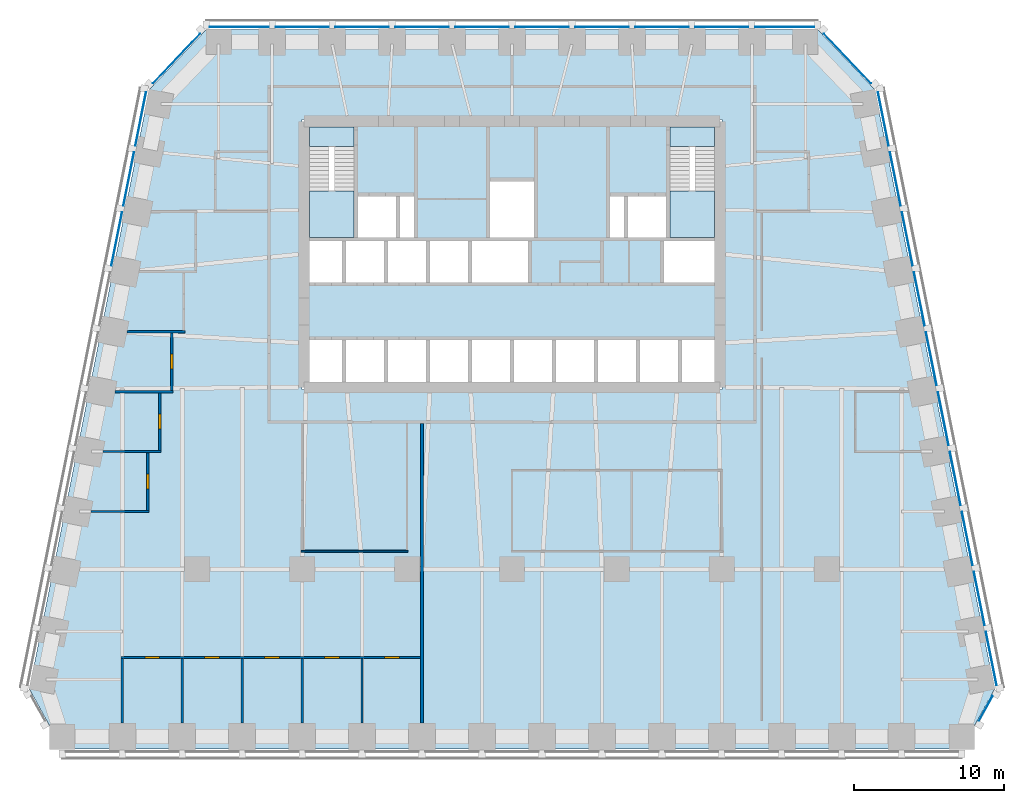
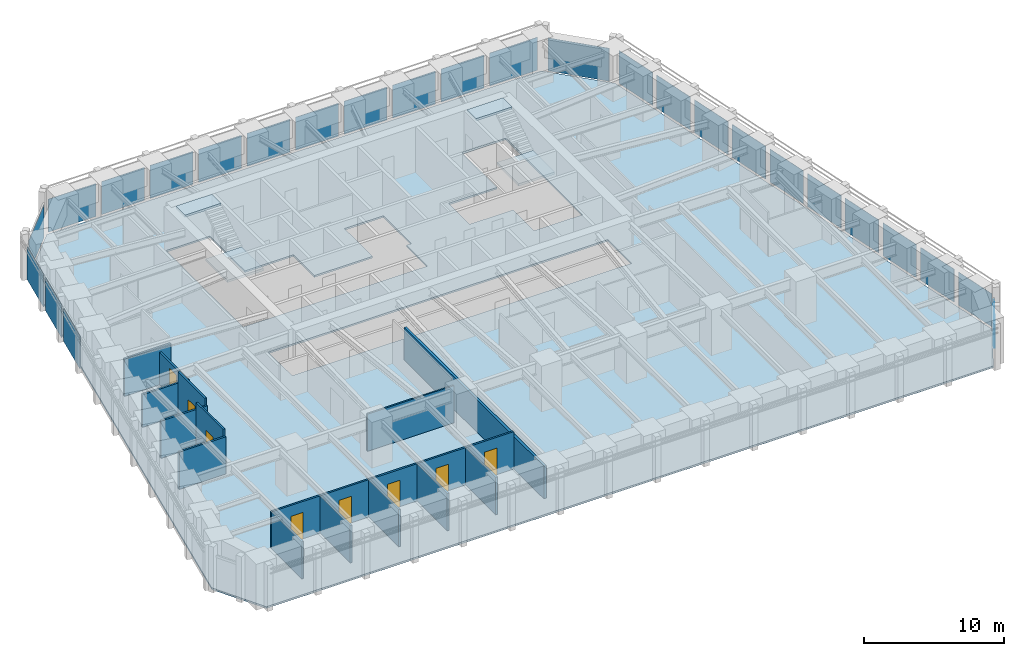
# One storey, part 5 of 10: 26 plates, 15 walls, 8 doors, 5 slabs, 8 openings, 8 elements without a shape of their own.
"""IFC4 building model written with IfcOpenShell, lengths in metres."""

from ifc_helpers import new_model, si_unit, direction, frame, frame_2d, origin, origin_2d, place, context, subcontext, project, spatial, polyline, rectangle, outline, extrude, material, layer, layer_set, type_object, element, fill, aggregate, save


model = new_model("IFC4")

# Units and contexts
model_context = context("Model", 3, precision=1e-05, world=origin(), true_north=direction((0.0, 1.0)))
body_context = subcontext(model_context, "Body", "Model", "MODEL_VIEW")
ifc_project = project(units=[si_unit("LENGTHUNIT", "METRE"), si_unit("AREAUNIT", "SQUARE_METRE"), si_unit("VOLUMEUNIT", "CUBIC_METRE"), si_unit("PLANEANGLEUNIT", "RADIAN"), si_unit("MASSUNIT", "GRAM", prefix="KILO")], contexts=[model_context])

# Site, building, storey
site_placement = place(None, origin())
site = spatial("IfcSite", under=ifc_project, at=site_placement, CompositionType="ELEMENT")
building_placement = place(site_placement, origin())
building = spatial("IfcBuilding", under=site, at=building_placement, Name="Isbrekke Arena Tower", CompositionType="ELEMENT")
storey_placement = place(building_placement, frame((0.0, 0.0, 111.0)))
storey = spatial("IfcBuildingStorey", under=building, at=storey_placement, Name="L24", CompositionType="ELEMENT", Elevation=111.0)

# Curtain wall, plate
ifc_material_1 = material(Name="Glazed aluminium curtain wall", Category="aluminium")
curtain_wall_type = type_object("IfcCurtainWallType", Name="CWM TOWER CURTAIN WALL MID ZONE", PredefinedType="USERDEFINED", material=ifc_material_1)
curtain_wall_1_placement = place(storey_placement, origin())
curtain_wall_1 = element("IfcCurtainWall", 1, at=curtain_wall_1_placement, inside=storey, type_object=curtain_wall_type, Name="CWM curtain wall L24-SE", ObjectType="TOWER CURTAIN WALL MID ZONE", PredefinedType="USERDEFINED")
ifc_material_2 = material(Name="Triple-glazed clear glass unit", Category="glass")
ifc_layer_1 = layer(ifc_material_2, 0.031982421875)
ifc_layer_set_1 = layer_set([ifc_layer_1], Name="CWM-P VISION PANEL")
plate_type = type_object("IfcPlateType", Name="CWM-P VISION PANEL", PredefinedType="CURTAIN_PANEL", material=ifc_layer_set_1)
plate_1_placement = place(storey_placement, frame((31.604248046875, -15.29052734375, 0.02001953125), z_axis=(0.0, 0.0, 1.0), x_axis=(0.481918749773, 0.876215908676, 0.0)))
plate_1 = element("IfcPlate", 2, at=plate_1_placement, type_object=plate_type, Name="CWM-P panel 1", PredefinedType="CURTAIN_PANEL", context=body_context, shape_type="SweptSolid", body=[
    extrude(rectangle(XDim=1.876220703125, YDim=0.031982421875, at=origin_2d()), origin(), (0.0, 0.0, 1.0), 2.8798828125),
])
aggregate(curtain_wall_1, [plate_1])

# Curtain wall, plates
curtain_wall_2_placement = place(storey_placement, origin())
curtain_wall_2 = element("IfcCurtainWall", 3, at=curtain_wall_2_placement, inside=storey, type_object=curtain_wall_type, Name="CWM curtain wall L24-E", ObjectType="TOWER CURTAIN WALL MID ZONE", PredefinedType="USERDEFINED")
plate_2_placement = place(storey_placement, frame((31.9716796875, -11.965576171875, 0.02001953125), z_axis=(0.0, 0.0, 1.0), x_axis=(-0.196116135138, 0.980580675691, 0.0)))
plate_2 = element("IfcPlate", 4, at=plate_2_placement, type_object=plate_type, Name="CWM-P panel 1", PredefinedType="CURTAIN_PANEL", context=body_context, shape_type="SweptSolid", body=[
    extrude(rectangle(XDim=3.629150390625, YDim=0.031982421875, at=origin_2d()), origin(), (0.0, 0.0, 1.0), 2.8798828125),
])
plate_3_placement = place(storey_placement, frame((31.171630859375, -7.965576171875, 0.02001953125), z_axis=(0.0, 0.0, 1.0), x_axis=(-0.196116135138, 0.980580675691, 0.0)))
plate_3 = element("IfcPlate", 5, at=plate_3_placement, type_object=plate_type, Name="CWM-P panel 2", PredefinedType="CURTAIN_PANEL", context=body_context, shape_type="SweptSolid", body=[
    extrude(rectangle(XDim=3.629150390625, YDim=0.031982421875, at=origin_2d()), origin(), (0.0, 0.0, 1.0), 2.8798828125),
])
plate_4_placement = place(storey_placement, frame((30.37158203125, -3.965576171875, 0.02001953125), z_axis=(0.0, 0.0, 1.0), x_axis=(-0.196116135138, 0.980580675691, 0.0)))
plate_4 = element("IfcPlate", 6, at=plate_4_placement, type_object=plate_type, Name="CWM-P panel 3", PredefinedType="CURTAIN_PANEL", context=body_context, shape_type="SweptSolid", body=[
    extrude(rectangle(XDim=3.629150390625, YDim=0.031982421875, at=origin_2d()), origin(), (0.0, 0.0, 1.0), 2.8798828125),
])
plate_5_placement = place(storey_placement, frame((29.571533203125, 0.034423828125, 0.02001953125), z_axis=(0.0, 0.0, 1.0), x_axis=(-0.196116135138, 0.980580675691, 0.0)))
plate_5 = element("IfcPlate", 7, at=plate_5_placement, type_object=plate_type, Name="CWM-P panel 4", PredefinedType="CURTAIN_PANEL", context=body_context, shape_type="SweptSolid", body=[
    extrude(rectangle(XDim=3.629150390625, YDim=0.031982421875, at=origin_2d()), origin(), (0.0, 0.0, 1.0), 2.8798828125),
])
plate_6_placement = place(storey_placement, frame((28.771484375, 4.034423828125, 0.02001953125), z_axis=(0.0, 0.0, 1.0), x_axis=(-0.196116135138, 0.980580675691, 0.0)))
plate_6 = element("IfcPlate", 8, at=plate_6_placement, type_object=plate_type, Name="CWM-P panel 5", PredefinedType="CURTAIN_PANEL", context=body_context, shape_type="SweptSolid", body=[
    extrude(rectangle(XDim=3.629150390625, YDim=0.031982421875, at=origin_2d()), origin(), (0.0, 0.0, 1.0), 2.8798828125),
])
plate_7_placement = place(storey_placement, frame((27.9716796875, 8.034423828125, 0.02001953125), z_axis=(0.0, 0.0, 1.0), x_axis=(-0.196116135138, 0.980580675691, 0.0)))
plate_7 = element("IfcPlate", 9, at=plate_7_placement, type_object=plate_type, Name="CWM-P panel 6", PredefinedType="CURTAIN_PANEL", context=body_context, shape_type="SweptSolid", body=[
    extrude(rectangle(XDim=3.629150390625, YDim=0.031982421875, at=origin_2d()), origin(), (0.0, 0.0, 1.0), 2.8798828125),
])
plate_8_placement = place(storey_placement, frame((27.171630859375, 12.034423828125, 0.02001953125), z_axis=(0.0, 0.0, 1.0), x_axis=(-0.196116135138, 0.980580675691, 0.0)))
plate_8 = element("IfcPlate", 10, at=plate_8_placement, type_object=plate_type, Name="CWM-P panel 7", PredefinedType="CURTAIN_PANEL", context=body_context, shape_type="SweptSolid", body=[
    extrude(rectangle(XDim=3.629150390625, YDim=0.031982421875, at=origin_2d()), origin(), (0.0, 0.0, 1.0), 2.8798828125),
])
plate_9_placement = place(storey_placement, frame((26.37158203125, 16.034423828125, 0.02001953125), z_axis=(0.0, 0.0, 1.0), x_axis=(-0.196116135138, 0.980580675691, 0.0)))
plate_9 = element("IfcPlate", 11, at=plate_9_placement, type_object=plate_type, Name="CWM-P panel 8", PredefinedType="CURTAIN_PANEL", context=body_context, shape_type="SweptSolid", body=[
    extrude(rectangle(XDim=3.629150390625, YDim=0.031982421875, at=origin_2d()), origin(), (0.0, 0.0, 1.0), 2.8798828125),
])
plate_10_placement = place(storey_placement, frame((25.571533203125, 20.034423828125, 0.02001953125), z_axis=(0.0, 0.0, 1.0), x_axis=(-0.196116135138, 0.980580675691, 0.0)))
plate_10 = element("IfcPlate", 12, at=plate_10_placement, type_object=plate_type, Name="CWM-P panel 9", PredefinedType="CURTAIN_PANEL", context=body_context, shape_type="SweptSolid", body=[
    extrude(rectangle(XDim=3.629150390625, YDim=0.031982421875, at=origin_2d()), origin(), (0.0, 0.0, 1.0), 2.8798828125),
])
plate_11_placement = place(storey_placement, frame((24.771484375, 24.034423828125, 0.02001953125), z_axis=(0.0, 0.0, 1.0), x_axis=(-0.196116135138, 0.980580675691, 0.0)))
plate_11 = element("IfcPlate", 13, at=plate_11_placement, type_object=plate_type, Name="CWM-P panel 10", PredefinedType="CURTAIN_PANEL", context=body_context, shape_type="SweptSolid", body=[
    extrude(rectangle(XDim=3.629150390625, YDim=0.031982421875, at=origin_2d()), origin(), (0.0, 0.0, 1.0), 2.8798828125),
])
aggregate(curtain_wall_2, [plate_2, plate_3, plate_4, plate_5, plate_6, plate_7, plate_8, plate_9, plate_10, plate_11])

# Curtain wall, plate
curtain_wall_3_placement = place(storey_placement, origin())
curtain_wall_3 = element("IfcCurtainWall", 14, at=curtain_wall_3_placement, inside=storey, type_object=curtain_wall_type, Name="CWM curtain wall L24-EN", ObjectType="TOWER CURTAIN WALL MID ZONE", PredefinedType="USERDEFINED")
plate_12_placement = place(storey_placement, frame((22.374755859375, 28.06640625, 0.02001953125), z_axis=(0.0, 0.0, 1.0), x_axis=(-0.68874946192, 0.72499943359, 0.0)))
plate_12 = element("IfcPlate", 15, at=plate_12_placement, type_object=plate_type, Name="CWM-P panel 1", PredefinedType="CURTAIN_PANEL", context=body_context, shape_type="SweptSolid", body=[
    extrude(rectangle(XDim=4.558349609375, YDim=0.031982421875, at=origin_2d()), origin(), (0.0, 0.0, 1.0), 2.8798828125),
])
aggregate(curtain_wall_3, [plate_12])

# Curtain wall, plates
curtain_wall_4_placement = place(storey_placement, origin())
curtain_wall_4 = element("IfcCurtainWall", 16, at=curtain_wall_4_placement, inside=storey, type_object=curtain_wall_type, Name="CWM curtain wall L24-N", ObjectType="TOWER CURTAIN WALL MID ZONE", PredefinedType="USERDEFINED")
plate_13_placement = place(storey_placement, frame((18.199951171875, 30.175048828125, 0.02001953125), z_axis=(0.0, 0.0, 1.0), x_axis=(-1.0, 0.0, 0.0)))
plate_13 = element("IfcPlate", 17, at=plate_13_placement, type_object=plate_type, Name="CWM-P panel 1", PredefinedType="CURTAIN_PANEL", context=body_context, shape_type="SweptSolid", body=[
    extrude(rectangle(XDim=3.949951171875, YDim=0.031982421875, at=origin_2d()), origin(), (0.0, 0.0, 1.0), 2.8798828125),
])
plate_14_placement = place(storey_placement, frame((14.0, 30.175048828125, 0.02001953125), z_axis=(0.0, 0.0, 1.0), x_axis=(-1.0, 0.0, 0.0)))
plate_14 = element("IfcPlate", 18, at=plate_14_placement, type_object=plate_type, Name="CWM-P panel 2", PredefinedType="CURTAIN_PANEL", context=body_context, shape_type="SweptSolid", body=[
    extrude(rectangle(XDim=3.550048828125, YDim=0.031982421875, at=origin_2d()), origin(), (0.0, 0.0, 1.0), 2.8798828125),
])
plate_15_placement = place(storey_placement, frame((10.0, 30.175048828125, 0.02001953125), z_axis=(0.0, 0.0, 1.0), x_axis=(-1.0, 0.0, 0.0)))
plate_15 = element("IfcPlate", 19, at=plate_15_placement, type_object=plate_type, Name="CWM-P panel 3", PredefinedType="CURTAIN_PANEL", context=body_context, shape_type="SweptSolid", body=[
    extrude(rectangle(XDim=3.550048828125, YDim=0.031982421875, at=origin_2d()), origin(), (0.0, 0.0, 1.0), 2.8798828125),
])
plate_16_placement = place(storey_placement, frame((6.0, 30.175048828125, 0.02001953125), z_axis=(0.0, 0.0, 1.0), x_axis=(-1.0, 0.0, 0.0)))
plate_16 = element("IfcPlate", 20, at=plate_16_placement, type_object=plate_type, Name="CWM-P panel 4", PredefinedType="CURTAIN_PANEL", context=body_context, shape_type="SweptSolid", body=[
    extrude(rectangle(XDim=3.550048828125, YDim=0.031982421875, at=origin_2d()), origin(), (0.0, 0.0, 1.0), 2.8798828125),
])
plate_17_placement = place(storey_placement, frame((2.0, 30.175048828125, 0.02001953125), z_axis=(0.0, 0.0, 1.0), x_axis=(-1.0, 0.0, 0.0)))
plate_17 = element("IfcPlate", 21, at=plate_17_placement, type_object=plate_type, Name="CWM-P panel 5", PredefinedType="CURTAIN_PANEL", context=body_context, shape_type="SweptSolid", body=[
    extrude(rectangle(XDim=3.550048828125, YDim=0.031982421875, at=origin_2d()), origin(), (0.0, 0.0, 1.0), 2.8798828125),
])
plate_18_placement = place(storey_placement, frame((-2.0, 30.175048828125, 0.02001953125), z_axis=(0.0, 0.0, 1.0), x_axis=(-1.0, 0.0, 0.0)))
plate_18 = element("IfcPlate", 22, at=plate_18_placement, type_object=plate_type, Name="CWM-P panel 6", PredefinedType="CURTAIN_PANEL", context=body_context, shape_type="SweptSolid", body=[
    extrude(rectangle(XDim=3.550048828125, YDim=0.031982421875, at=origin_2d()), origin(), (0.0, 0.0, 1.0), 2.8798828125),
])
plate_19_placement = place(storey_placement, frame((-6.0, 30.175048828125, 0.02001953125), z_axis=(0.0, 0.0, 1.0), x_axis=(-1.0, 0.0, 0.0)))
plate_19 = element("IfcPlate", 23, at=plate_19_placement, type_object=plate_type, Name="CWM-P panel 7", PredefinedType="CURTAIN_PANEL", context=body_context, shape_type="SweptSolid", body=[
    extrude(rectangle(XDim=3.550048828125, YDim=0.031982421875, at=origin_2d()), origin(), (0.0, 0.0, 1.0), 2.8798828125),
])
plate_20_placement = place(storey_placement, frame((-10.0, 30.175048828125, 0.02001953125), z_axis=(0.0, 0.0, 1.0), x_axis=(-1.0, 0.0, 0.0)))
plate_20 = element("IfcPlate", 24, at=plate_20_placement, type_object=plate_type, Name="CWM-P panel 8", PredefinedType="CURTAIN_PANEL", context=body_context, shape_type="SweptSolid", body=[
    extrude(rectangle(XDim=3.550048828125, YDim=0.031982421875, at=origin_2d()), origin(), (0.0, 0.0, 1.0), 2.8798828125),
])
plate_21_placement = place(storey_placement, frame((-14.0, 30.175048828125, 0.02001953125), z_axis=(0.0, 0.0, 1.0), x_axis=(-1.0, 0.0, 0.0)))
plate_21 = element("IfcPlate", 25, at=plate_21_placement, type_object=plate_type, Name="CWM-P panel 9", PredefinedType="CURTAIN_PANEL", context=body_context, shape_type="SweptSolid", body=[
    extrude(rectangle(XDim=3.550048828125, YDim=0.031982421875, at=origin_2d()), origin(), (0.0, 0.0, 1.0), 2.8798828125),
])
plate_22_placement = place(storey_placement, frame((-18.199951171875, 30.175048828125, 0.02001953125), z_axis=(0.0, 0.0, 1.0), x_axis=(-1.0, 0.0, 0.0)))
plate_22 = element("IfcPlate", 26, at=plate_22_placement, type_object=plate_type, Name="CWM-P panel 10", PredefinedType="CURTAIN_PANEL", context=body_context, shape_type="SweptSolid", body=[
    extrude(rectangle(XDim=3.949951171875, YDim=0.031982421875, at=origin_2d()), origin(), (0.0, 0.0, 1.0), 2.8798828125),
])
aggregate(curtain_wall_4, [plate_13, plate_14, plate_15, plate_16, plate_17, plate_18, plate_19, plate_20, plate_21, plate_22])

# Curtain wall, plate
curtain_wall_5_placement = place(storey_placement, origin())
curtain_wall_5 = element("IfcCurtainWall", 27, at=curtain_wall_5_placement, inside=storey, type_object=curtain_wall_type, Name="CWM curtain wall L24-NW", ObjectType="TOWER CURTAIN WALL MID ZONE", PredefinedType="USERDEFINED")
plate_23_placement = place(storey_placement, frame((-22.37451171875, 28.066650390625, 0.02001953125), z_axis=(0.0, 0.0, 1.0), x_axis=(-0.68874946192, -0.72499943359, 0.0)))
plate_23 = element("IfcPlate", 28, at=plate_23_placement, type_object=plate_type, Name="CWM-P panel 1", PredefinedType="CURTAIN_PANEL", context=body_context, shape_type="SweptSolid", body=[
    extrude(rectangle(XDim=4.557373046875, YDim=0.031982421875, at=origin_2d()), origin(), (0.0, 0.0, 1.0), 2.8798828125),
])
aggregate(curtain_wall_5, [plate_23])

# Curtain wall, plates
curtain_wall_6_placement = place(storey_placement, origin())
curtain_wall_6 = element("IfcCurtainWall", 29, at=curtain_wall_6_placement, inside=storey, type_object=curtain_wall_type, Name="CWM curtain wall L24-W", ObjectType="TOWER CURTAIN WALL MID ZONE", PredefinedType="USERDEFINED")
plate_24_placement = place(storey_placement, frame((-24.771484375, 24.034423828125, 0.02001953125), z_axis=(0.0, 0.0, 1.0), x_axis=(-0.196116135138, -0.980580675691, 0.0)))
plate_24 = element("IfcPlate", 30, at=plate_24_placement, type_object=plate_type, Name="CWM-P panel 1", PredefinedType="CURTAIN_PANEL", context=body_context, shape_type="SweptSolid", body=[
    extrude(rectangle(XDim=3.629150390625, YDim=0.031982421875, at=origin_2d()), origin(), (0.0, 0.0, 1.0), 2.8798828125),
])
plate_25_placement = place(storey_placement, frame((-25.571533203125, 20.034423828125, 0.02001953125), z_axis=(0.0, 0.0, 1.0), x_axis=(-0.196116135138, -0.980580675691, 0.0)))
plate_25 = element("IfcPlate", 31, at=plate_25_placement, type_object=plate_type, Name="CWM-P panel 2", PredefinedType="CURTAIN_PANEL", context=body_context, shape_type="SweptSolid", body=[
    extrude(rectangle(XDim=3.629150390625, YDim=0.031982421875, at=origin_2d()), origin(), (0.0, 0.0, 1.0), 2.8798828125),
])
plate_26_placement = place(storey_placement, frame((-26.37158203125, 16.034423828125, 0.02001953125), z_axis=(0.0, 0.0, 1.0), x_axis=(-0.196116135138, -0.980580675691, 0.0)))
plate_26 = element("IfcPlate", 32, at=plate_26_placement, type_object=plate_type, Name="CWM-P panel 3", PredefinedType="CURTAIN_PANEL", context=body_context, shape_type="SweptSolid", body=[
    extrude(rectangle(XDim=3.629150390625, YDim=0.031982421875, at=origin_2d()), origin(), (0.0, 0.0, 1.0), 2.8798828125),
])
aggregate(curtain_wall_6, [plate_24, plate_25, plate_26])

# Slab
ifc_material_3 = material(Name="Concrete B35 (C35/45)", Category="concrete")
ifc_layer_2 = layer(ifc_material_3, 0.14990234375)
ifc_layer_set_2 = layer_set([ifc_layer_2], Name="FS1 COMPOSITE FLOOR 150")
slab_type_1 = type_object("IfcSlabType", Name="FS1 COMPOSITE FLOOR 150", PredefinedType="FLOOR", material=ifc_layer_set_2)
slab_1_placement = place(storey_placement, frame((0.0, 0.0, -0.14990234375)))
element("IfcSlab", 33, at=slab_1_placement, inside=storey, type_object=slab_type_1, Name="FS1 floor slab L24", PredefinedType="FLOOR", context=body_context, shape_type="SweptSolid", body=[
    extrude(outline(polyline([(-30.0, -18.0), (30.0, -18.0), (32.199951171875, -14.0), (24.199951171875, 26.0), (20.39990234375, 30.0), (-20.39990234375, 30.0), (-24.199951171875, 26.0), (-32.199951171875, -14.0), (-30.0, -18.0)]), holes=[polyline([(14.0, 9.39990234375), (14.0, 6.0), (-14.0, 6.0), (-14.0, 9.39990234375), (14.0, 9.39990234375)]), polyline([(-6.39990234375, 19.0), (-6.39990234375, 16.0), (-1.60009765625, 16.0), (-1.60009765625, 20.0), (1.60009765625, 20.0), (1.60009765625, 16.0), (1.199951171875, 16.0), (1.199951171875, 13.0), (-14.0, 13.0), (-14.0, 24.0), (-10.39990234375, 24.0), (-10.39990234375, 19.0), (-6.39990234375, 19.0)]), polyline([(10.0, 13.0), (10.0, 16.0), (6.39990234375, 16.0), (6.39990234375, 19.0), (10.39990234375, 19.0), (10.39990234375, 24.0), (14.0, 24.0), (14.0, 13.0), (10.0, 13.0)])]), origin(), (0.0, 0.0, 1.0), 0.14990234375),
])

# Stair, slabs
ifc_material_4 = material(Name="Concrete B45 (C45/55) precast", Category="concrete")
stair_type = type_object("IfcStairType", Name="ST40 STAIR 1300 WIDE, 24 RISERS 167", PredefinedType="HALF_TURN_STAIR", material=ifc_material_4)
stair_1_placement = place(storey_placement, origin())
stair_1 = element("IfcStair", 34, at=stair_1_placement, inside=storey, type_object=stair_type, Name="ST1 stair L24", PredefinedType="HALF_TURN_STAIR")
ifc_material_5 = material(Name="Concrete B35 (C35/45)", Category="concrete")
ifc_layer_3 = layer(ifc_material_5, 0.199951171875)
ifc_layer_set_3 = layer_set([ifc_layer_3], Name="SL1 STAIR LANDING 200")
slab_type_2 = type_object("IfcSlabType", Name="SL1 STAIR LANDING 200", PredefinedType="LANDING", material=ifc_layer_set_3)
slab_2_placement = place(storey_placement, frame((0.0, 0.0, 1.800048828125)))
slab_2 = element("IfcSlab", 35, at=slab_2_placement, type_object=slab_type_2, Name="ST1 landing 1", PredefinedType="LANDING", context=body_context, shape_type="SweptSolid", body=[
    extrude(outline(polyline([(-13.5, 16.125), (-10.52490234375, 16.125), (-10.52490234375, 19.22998046875), (-13.5, 19.22998046875), (-13.5, 16.125)])), origin(), (0.0, 0.0, 1.0), 0.199951171875),
])
slab_3_placement = place(storey_placement, frame((0.0, 0.0, 3.800048828125)))
slab_3 = element("IfcSlab", 36, at=slab_3_placement, type_object=slab_type_2, Name="ST1 landing 2", PredefinedType="LANDING", context=body_context, shape_type="SweptSolid", body=[
    extrude(outline(polyline([(-13.5, 22.199951171875), (-10.52490234375, 22.199951171875), (-10.52490234375, 23.5), (-13.5, 23.5), (-13.5, 22.199951171875)])), origin(), (0.0, 0.0, 1.0), 0.199951171875),
])
aggregate(stair_1, [slab_2, slab_3])

stair_2_placement = place(storey_placement, origin())
stair_2 = element("IfcStair", 37, at=stair_2_placement, inside=storey, type_object=stair_type, Name="ST2 stair L24", PredefinedType="HALF_TURN_STAIR")
slab_4_placement = place(storey_placement, frame((0.0, 0.0, 1.800048828125)))
slab_4 = element("IfcSlab", 38, at=slab_4_placement, type_object=slab_type_2, Name="ST2 landing 1", PredefinedType="LANDING", context=body_context, shape_type="SweptSolid", body=[
    extrude(outline(polyline([(10.52490234375, 16.125), (13.5, 16.125), (13.5, 19.22998046875), (10.52490234375, 19.22998046875), (10.52490234375, 16.125)])), origin(), (0.0, 0.0, 1.0), 0.199951171875),
])
slab_5_placement = place(storey_placement, frame((0.0, 0.0, 3.800048828125)))
slab_5 = element("IfcSlab", 39, at=slab_5_placement, type_object=slab_type_2, Name="ST2 landing 2", PredefinedType="LANDING", context=body_context, shape_type="SweptSolid", body=[
    extrude(outline(polyline([(10.52490234375, 22.199951171875), (13.5, 22.199951171875), (13.5, 23.5), (10.52490234375, 23.5), (10.52490234375, 22.199951171875)])), origin(), (0.0, 0.0, 1.0), 0.199951171875),
])
aggregate(stair_2, [slab_4, slab_5])

# Wall, openings, doors
ifc_material_6 = material(Name="Gypsum board partition on steel studs", Category="steel")
ifc_layer_4 = layer(ifc_material_6, 0.14990234375)
ifc_layer_set_4 = layer_set([ifc_layer_4], Name="IW1 PARTITION 150")
wall_type_1 = type_object("IfcWallType", Name="IW1 PARTITION 150", PredefinedType="PARTITIONING", material=ifc_layer_set_4)
wall_1_placement = place(storey_placement, frame((-26.074951171875, -11.89990234375, 0.0), z_axis=(0.0, 0.0, 1.0), x_axis=(1.0, 0.0, 0.0)))
wall_1 = element("IfcWall", 40, at=wall_1_placement, inside=storey, type_object=wall_type_1, Name="IW1 partition 150 L24", PredefinedType="PARTITIONING", context=body_context, shape_type="SweptSolid", body=[
    extrude(rectangle(XDim=19.974853515625, YDim=0.14990234375, at=frame_2d((9.9873046875, 0.0))), origin(), (0.0, 0.0, 1.0), 3.25),
])
opening_1_placement = place(wall_1_placement, frame((1.574951171875, 0.0, 0.0)))
opening_1 = element("IfcOpeningElement", 41, at=opening_1_placement, cuts=wall_1, Name="Opening D10", PredefinedType="OPENING", context=body_context, shape_type="SweptSolid", body=[
    extrude(rectangle(XDim=1.0, YDim=2.300048828125, at=frame_2d((0.5, 1.14990234375))), frame((0.0, 0.08984375, 0.0), z_axis=(0.0, -1.0, 0.0), x_axis=(1.0, 0.0, 0.0)), (0.0, 0.0, 1.0), 0.1796875),
])
opening_2_placement = place(wall_1_placement, frame((5.574951171875, 0.0, 0.0)))
opening_2 = element("IfcOpeningElement", 42, at=opening_2_placement, cuts=wall_1, Name="Opening D10", PredefinedType="OPENING", context=body_context, shape_type="SweptSolid", body=[
    extrude(rectangle(XDim=1.0, YDim=2.300048828125, at=frame_2d((0.5, 1.14990234375))), frame((0.0, 0.08984375, 0.0), z_axis=(0.0, -1.0, 0.0), x_axis=(1.0, 0.0, 0.0)), (0.0, 0.0, 1.0), 0.1796875),
])
opening_3_placement = place(wall_1_placement, frame((9.574951171875, 0.0, 0.0)))
opening_3 = element("IfcOpeningElement", 43, at=opening_3_placement, cuts=wall_1, Name="Opening D10", PredefinedType="OPENING", context=body_context, shape_type="SweptSolid", body=[
    extrude(rectangle(XDim=1.0, YDim=2.300048828125, at=frame_2d((0.5, 1.14990234375))), frame((0.0, 0.08984375, 0.0), z_axis=(0.0, -1.0, 0.0), x_axis=(1.0, 0.0, 0.0)), (0.0, 0.0, 1.0), 0.1796875),
])
opening_4_placement = place(wall_1_placement, frame((13.574951171875, 0.0, 0.0)))
opening_4 = element("IfcOpeningElement", 44, at=opening_4_placement, cuts=wall_1, Name="Opening D10", PredefinedType="OPENING", context=body_context, shape_type="SweptSolid", body=[
    extrude(rectangle(XDim=1.0, YDim=2.300048828125, at=frame_2d((0.5, 1.14990234375))), frame((0.0, 0.08984375, 0.0), z_axis=(0.0, -1.0, 0.0), x_axis=(1.0, 0.0, 0.0)), (0.0, 0.0, 1.0), 0.1796875),
])
opening_5_placement = place(wall_1_placement, frame((17.574951171875, 0.0, 0.0)))
opening_5 = element("IfcOpeningElement", 45, at=opening_5_placement, cuts=wall_1, Name="Opening D10", PredefinedType="OPENING", context=body_context, shape_type="SweptSolid", body=[
    extrude(rectangle(XDim=1.0, YDim=2.300048828125, at=frame_2d((0.5, 1.14990234375))), frame((0.0, 0.08984375, 0.0), z_axis=(0.0, -1.0, 0.0), x_axis=(1.0, 0.0, 0.0)), (0.0, 0.0, 1.0), 0.1796875),
])
ifc_material_7 = material(Name="Timber door", Category="wood")
door_type = type_object("IfcDoorType", Name="D10 OFFICE DOOR 1000 x 2300", OperationType="SINGLE_SWING_LEFT", PredefinedType="DOOR", material=ifc_material_7)
door_1_placement = place(opening_1_placement, origin())
door_1 = element("IfcDoor", 46, at=door_1_placement, inside=storey, type_object=door_type, Name="D10 office door L24", OperationType="SINGLE_SWING_LEFT", OverallHeight=2.300048828125, OverallWidth=1.0, PredefinedType="DOOR", context=body_context, shape_type="SweptSolid", body=[
    extrude(rectangle(XDim=1.0, YDim=2.300048828125, at=frame_2d((0.5, 1.14990234375))), frame((0.0, 0.07470703125, 0.0), z_axis=(0.0, -1.0, 0.0), x_axis=(1.0, 0.0, 0.0)), (0.0, 0.0, 1.0), 0.1494140625),
])
fill(opening_1, door_1)
door_2_placement = place(opening_2_placement, origin())
door_2 = element("IfcDoor", 47, at=door_2_placement, inside=storey, type_object=door_type, Name="D10 office door L24", OperationType="SINGLE_SWING_LEFT", OverallHeight=2.300048828125, OverallWidth=1.0, PredefinedType="DOOR", context=body_context, shape_type="SweptSolid", body=[
    extrude(rectangle(XDim=1.0, YDim=2.300048828125, at=frame_2d((0.5, 1.14990234375))), frame((0.0, 0.07470703125, 0.0), z_axis=(0.0, -1.0, 0.0), x_axis=(1.0, 0.0, 0.0)), (0.0, 0.0, 1.0), 0.1494140625),
])
fill(opening_2, door_2)
door_3_placement = place(opening_3_placement, origin())
door_3 = element("IfcDoor", 48, at=door_3_placement, inside=storey, type_object=door_type, Name="D10 office door L24", OperationType="SINGLE_SWING_LEFT", OverallHeight=2.300048828125, OverallWidth=1.0, PredefinedType="DOOR", context=body_context, shape_type="SweptSolid", body=[
    extrude(rectangle(XDim=1.0, YDim=2.300048828125, at=frame_2d((0.5, 1.14990234375))), frame((0.0, 0.07470703125, 0.0), z_axis=(0.0, -1.0, 0.0), x_axis=(1.0, 0.0, 0.0)), (0.0, 0.0, 1.0), 0.1494140625),
])
fill(opening_3, door_3)
door_4_placement = place(opening_4_placement, origin())
door_4 = element("IfcDoor", 49, at=door_4_placement, inside=storey, type_object=door_type, Name="D10 office door L24", OperationType="SINGLE_SWING_LEFT", OverallHeight=2.300048828125, OverallWidth=1.0, PredefinedType="DOOR", context=body_context, shape_type="SweptSolid", body=[
    extrude(rectangle(XDim=1.0, YDim=2.300048828125, at=frame_2d((0.5, 1.14990234375))), frame((0.0, 0.07470703125, 0.0), z_axis=(0.0, -1.0, 0.0), x_axis=(1.0, 0.0, 0.0)), (0.0, 0.0, 1.0), 0.1494140625),
])
fill(opening_4, door_4)
door_5_placement = place(opening_5_placement, origin())
door_5 = element("IfcDoor", 50, at=door_5_placement, inside=storey, type_object=door_type, Name="D10 office door L24", OperationType="SINGLE_SWING_LEFT", OverallHeight=2.300048828125, OverallWidth=1.0, PredefinedType="DOOR", context=body_context, shape_type="SweptSolid", body=[
    extrude(rectangle(XDim=1.0, YDim=2.300048828125, at=frame_2d((0.5, 1.14990234375))), frame((0.0, 0.07470703125, 0.0), z_axis=(0.0, -1.0, 0.0), x_axis=(1.0, 0.0, 0.0)), (0.0, 0.0, 1.0), 0.1494140625),
])
fill(opening_5, door_5)

# Walls
for number, where, z_axis, x_axis, name in (
    (51, (-28.07275390625, -2.159912109375, 0.0), (0.0, 0.0, 1.0), (1.0, 0.0, 0.0), "IW1 partition 150 L24"),
    (52, (-27.272705078125, 1.840087890625, 0.0), (0.0, 0.0, 1.0), (1.0, 0.0, 0.0), "IW1 partition 150 L24"),
):
    element("IfcWall", number, at=place(storey_placement, frame(where, z_axis=z_axis, x_axis=x_axis)), inside=storey, type_object=wall_type_1, Name=name, PredefinedType="PARTITIONING", context=body_context, shape_type="SweptSolid", body=[
        extrude(rectangle(XDim=3.84765625, YDim=0.14990234375, at=frame_2d((1.923828125, 0.0))), origin(), (0.0, 0.0, 1.0), 3.25),
    ])
wall_2_placement = place(storey_placement, frame((-26.472900390625, 5.840087890625, 0.0), z_axis=(0.0, 0.0, 1.0), x_axis=(1.0, 0.0, 0.0)))
element("IfcWall", 53, at=wall_2_placement, inside=storey, type_object=wall_type_1, Name="IW1 partition 150 L24", PredefinedType="PARTITIONING", context=body_context, shape_type="SweptSolid", body=[
    extrude(rectangle(XDim=3.847900390625, YDim=0.14990234375, at=frame_2d((1.923828125, 0.0))), origin(), (0.0, 0.0, 1.0), 2.842041015625),
])
wall_3_placement = place(storey_placement, frame((-25.6728515625, 9.840087890625, 0.0), z_axis=(0.0, 0.0, 1.0), x_axis=(1.0, 0.0, 0.0)))
element("IfcWall", 54, at=wall_3_placement, inside=storey, type_object=wall_type_1, Name="IW1 partition 150 L24", PredefinedType="PARTITIONING", context=body_context, shape_type="SweptSolid", body=[
    extrude(rectangle(XDim=3.847900390625, YDim=0.14990234375, at=frame_2d((1.923828125, 0.0))), origin(), (0.0, 0.0, 1.0), 3.25),
])
wall_4_placement = place(storey_placement, frame((-26.0, -16.27490234375, 0.0), z_axis=(0.0, 0.0, 1.0), x_axis=(0.0, 1.0, 0.0)))
element("IfcWall", 55, at=wall_4_placement, inside=storey, type_object=wall_type_1, Name="IW1 partition 150 L24", PredefinedType="PARTITIONING", context=body_context, shape_type="SweptSolid", body=[
    extrude(rectangle(XDim=4.2998046875, YDim=0.14990234375, at=frame_2d((2.14990234375, 0.0))), origin(), (0.0, 0.0, 1.0), 3.25),
])

# Wall, opening, door
wall_5_placement = place(storey_placement, frame((-24.300048828125, -2.0849609375, 0.0), z_axis=(0.0, 0.0, 1.0), x_axis=(0.0, 1.0, 0.0)))
wall_5 = element("IfcWall", 56, at=wall_5_placement, inside=storey, type_object=wall_type_1, Name="IW1 partition 150 L24", PredefinedType="PARTITIONING", context=body_context, shape_type="SweptSolid", body=[
    extrude(rectangle(XDim=3.849853515625, YDim=0.14990234375, at=frame_2d((1.9248046875, 0.0))), origin(), (0.0, 0.0, 1.0), 3.85009765625),
])
opening_6_placement = place(wall_5_placement, frame((1.425048828125, 0.0, 0.0)))
opening_6 = element("IfcOpeningElement", 57, at=opening_6_placement, cuts=wall_5, Name="Opening D10", PredefinedType="OPENING", context=body_context, shape_type="SweptSolid", body=[
    extrude(rectangle(XDim=1.0, YDim=2.300048828125, at=frame_2d((0.5, 1.14990234375))), frame((0.0, 0.08984375, 0.0), z_axis=(0.0, -1.0, 0.0), x_axis=(1.0, 0.0, 0.0)), (0.0, 0.0, 1.0), 0.1796875),
])
door_6_placement = place(opening_6_placement, origin())
door_6 = element("IfcDoor", 58, at=door_6_placement, inside=storey, type_object=door_type, Name="D10 office door L24", OperationType="SINGLE_SWING_LEFT", OverallHeight=2.300048828125, OverallWidth=1.0, PredefinedType="DOOR", context=body_context, shape_type="SweptSolid", body=[
    extrude(rectangle(XDim=1.0, YDim=2.300048828125, at=frame_2d((0.5, 1.14990234375))), frame((0.0, 0.07470703125, 0.0), z_axis=(0.0, -1.0, 0.0), x_axis=(1.0, 0.0, 0.0)), (0.0, 0.0, 1.0), 0.1494140625),
])
fill(opening_6, door_6)

wall_6_placement = place(storey_placement, frame((-23.5, 1.9150390625, 0.0), z_axis=(0.0, 0.0, 1.0), x_axis=(0.0, 1.0, 0.0)))
wall_6 = element("IfcWall", 59, at=wall_6_placement, inside=storey, type_object=wall_type_1, Name="IW1 partition 150 L24", PredefinedType="PARTITIONING", context=body_context, shape_type="SweptSolid", body=[
    extrude(rectangle(XDim=3.849853515625, YDim=0.14990234375, at=frame_2d((1.9248046875, 0.0))), origin(), (0.0, 0.0, 1.0), 3.85009765625),
])
opening_7_placement = place(wall_6_placement, frame((1.425048828125, 0.0, 0.0)))
opening_7 = element("IfcOpeningElement", 60, at=opening_7_placement, cuts=wall_6, Name="Opening D10", PredefinedType="OPENING", context=body_context, shape_type="SweptSolid", body=[
    extrude(rectangle(XDim=1.0, YDim=2.300048828125, at=frame_2d((0.5, 1.14990234375))), frame((0.0, 0.08984375, 0.0), z_axis=(0.0, -1.0, 0.0), x_axis=(1.0, 0.0, 0.0)), (0.0, 0.0, 1.0), 0.1796875),
])
door_7_placement = place(opening_7_placement, origin())
door_7 = element("IfcDoor", 61, at=door_7_placement, inside=storey, type_object=door_type, Name="D10 office door L24", OperationType="SINGLE_SWING_LEFT", OverallHeight=2.300048828125, OverallWidth=1.0, PredefinedType="DOOR", context=body_context, shape_type="SweptSolid", body=[
    extrude(rectangle(XDim=1.0, YDim=2.300048828125, at=frame_2d((0.5, 1.14990234375))), frame((0.0, 0.07470703125, 0.0), z_axis=(0.0, -1.0, 0.0), x_axis=(1.0, 0.0, 0.0)), (0.0, 0.0, 1.0), 0.1494140625),
])
fill(opening_7, door_7)

wall_7_placement = place(storey_placement, frame((-22.699951171875, 5.9150390625, 0.0), z_axis=(0.0, 0.0, 1.0), x_axis=(0.0, 1.0, 0.0)))
wall_7 = element("IfcWall", 62, at=wall_7_placement, inside=storey, type_object=wall_type_1, Name="IW1 partition 150 L24", PredefinedType="PARTITIONING", context=body_context, shape_type="SweptSolid", body=[
    extrude(rectangle(XDim=3.849853515625, YDim=0.14990234375, at=frame_2d((1.9248046875, 0.0))), origin(), (0.0, 0.0, 1.0), 2.842041015625),
])
opening_8_placement = place(wall_7_placement, frame((1.425048828125, 0.0, 0.0)))
opening_8 = element("IfcOpeningElement", 63, at=opening_8_placement, cuts=wall_7, Name="Opening D10", PredefinedType="OPENING", context=body_context, shape_type="SweptSolid", body=[
    extrude(rectangle(XDim=1.0, YDim=2.300048828125, at=frame_2d((0.5, 1.14990234375))), frame((0.0, 0.08984375, 0.0), z_axis=(0.0, -1.0, 0.0), x_axis=(1.0, 0.0, 0.0)), (0.0, 0.0, 1.0), 0.1796875),
])
door_8_placement = place(opening_8_placement, origin())
door_8 = element("IfcDoor", 64, at=door_8_placement, inside=storey, type_object=door_type, Name="D10 office door L24", OperationType="SINGLE_SWING_LEFT", OverallHeight=2.300048828125, OverallWidth=1.0, PredefinedType="DOOR", context=body_context, shape_type="SweptSolid", body=[
    extrude(rectangle(XDim=1.0, YDim=2.300048828125, at=frame_2d((0.5, 1.14990234375))), frame((0.0, 0.07470703125, 0.0), z_axis=(0.0, -1.0, 0.0), x_axis=(1.0, 0.0, 0.0)), (0.0, 0.0, 1.0), 0.1494140625),
])
fill(opening_8, door_8)

# Walls
for number, where, z_axis, x_axis, name in (
    (65, (-22.0, -16.27490234375, 0.0), (0.0, 0.0, 1.0), (0.0, 1.0, 0.0), "IW1 partition 150 L24"),
    (66, (-18.0, -16.27490234375, 0.0), (0.0, 0.0, 1.0), (0.0, 1.0, 0.0), "IW1 partition 150 L24"),
    (67, (-14.0, -16.27490234375, 0.0), (0.0, 0.0, 1.0), (0.0, 1.0, 0.0), "IW1 partition 150 L24"),
    (68, (-10.0, -16.27490234375, 0.0), (0.0, 0.0, 1.0), (0.0, 1.0, 0.0), "IW1 partition 150 L24"),
):
    element("IfcWall", number, at=place(storey_placement, frame(where, z_axis=z_axis, x_axis=x_axis)), inside=storey, type_object=wall_type_1, Name=name, PredefinedType="PARTITIONING", context=body_context, shape_type="SweptSolid", body=[
        extrude(rectangle(XDim=4.2998046875, YDim=0.14990234375, at=frame_2d((2.14990234375, 0.0))), origin(), (0.0, 0.0, 1.0), 3.25),
    ])
ifc_material_8 = material(Name="Frameless glazed partition, laminated acoustic glass", Category="glass")
ifc_layer_5 = layer(ifc_material_8, 0.1201171875)
ifc_layer_set_5 = layer_set([ifc_layer_5], Name="IW2 GLAZED PARTITION 120")
wall_type_2 = type_object("IfcWallType", Name="IW2 GLAZED PARTITION 120", PredefinedType="PARTITIONING", material=ifc_layer_set_5)
wall_8_placement = place(storey_placement, frame((-14.06005859375, -4.800048828125, 0.0), z_axis=(0.0, 0.0, 1.0), x_axis=(1.0, 0.0, 0.0)))
element("IfcWall", 69, at=wall_8_placement, inside=storey, type_object=wall_type_2, Name="IW2 glazed partition 120 L24", PredefinedType="PARTITIONING", context=body_context, shape_type="SweptSolid", body=[
    extrude(rectangle(XDim=7.1201171875, YDim=0.1201171875, at=frame_2d((3.56005859375, 0.0))), origin(), (0.0, 0.0, 1.0), 3.25),
])
ifc_material_9 = material(Name="Gypsum board fire-cell wall on steel studs, two layers each side", Category="steel")
ifc_layer_6 = layer(ifc_material_9, 0.199951171875)
ifc_layer_set_6 = layer_set([ifc_layer_6], Name="IW3 FIRE-CELL WALL 200")
wall_type_3 = type_object("IfcWallType", Name="IW3 FIRE-CELL WALL 200", PredefinedType="PARTITIONING", material=ifc_layer_set_6)
wall_9_placement = place(storey_placement, frame((-6.0, -16.27490234375, 0.0), z_axis=(0.0, 0.0, 1.0), x_axis=(0.0, 1.0, 0.0)))
element("IfcWall", 70, at=wall_9_placement, inside=storey, type_object=wall_type_3, Name="IW3 fire-cell wall 200 L24", PredefinedType="PARTITIONING", context=body_context, shape_type="SweptSolid", body=[
    extrude(rectangle(XDim=19.974853515625, YDim=0.199951171875, at=frame_2d((9.9873046875, 0.0))), origin(), (0.0, 0.0, 1.0), 2.842041015625),
])

save(model, "model.ifc")
